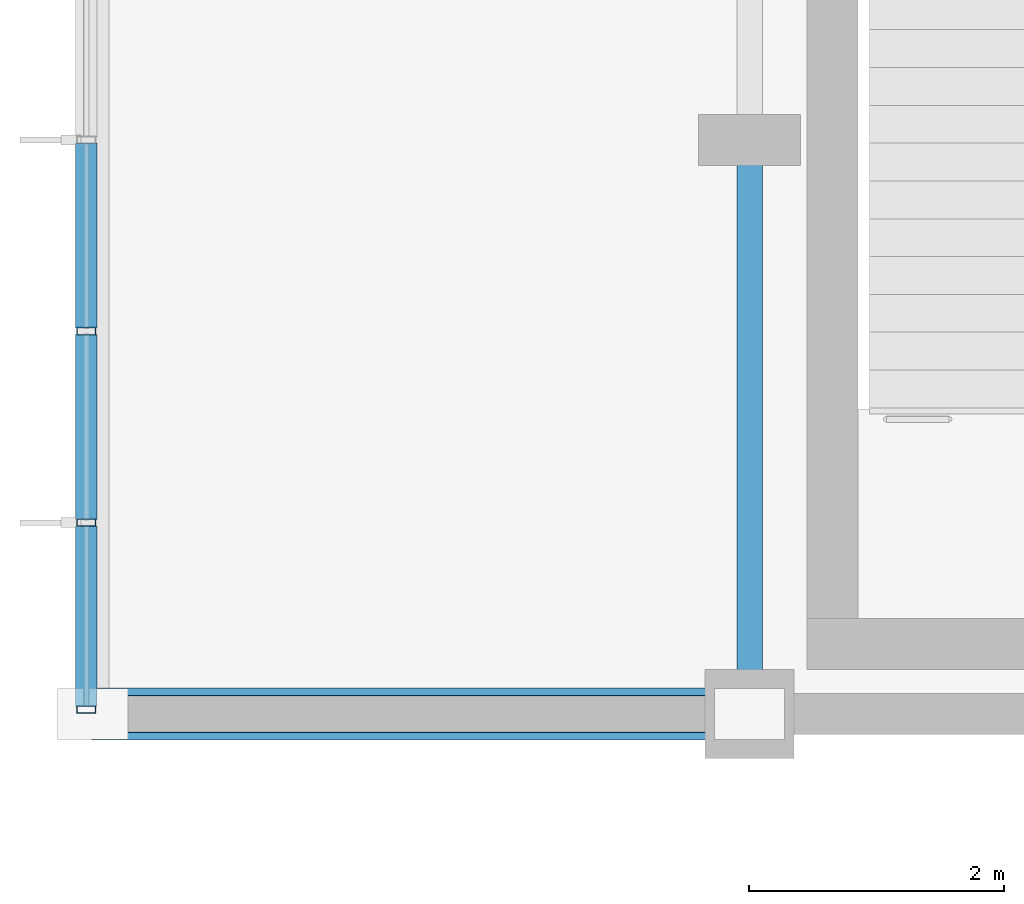
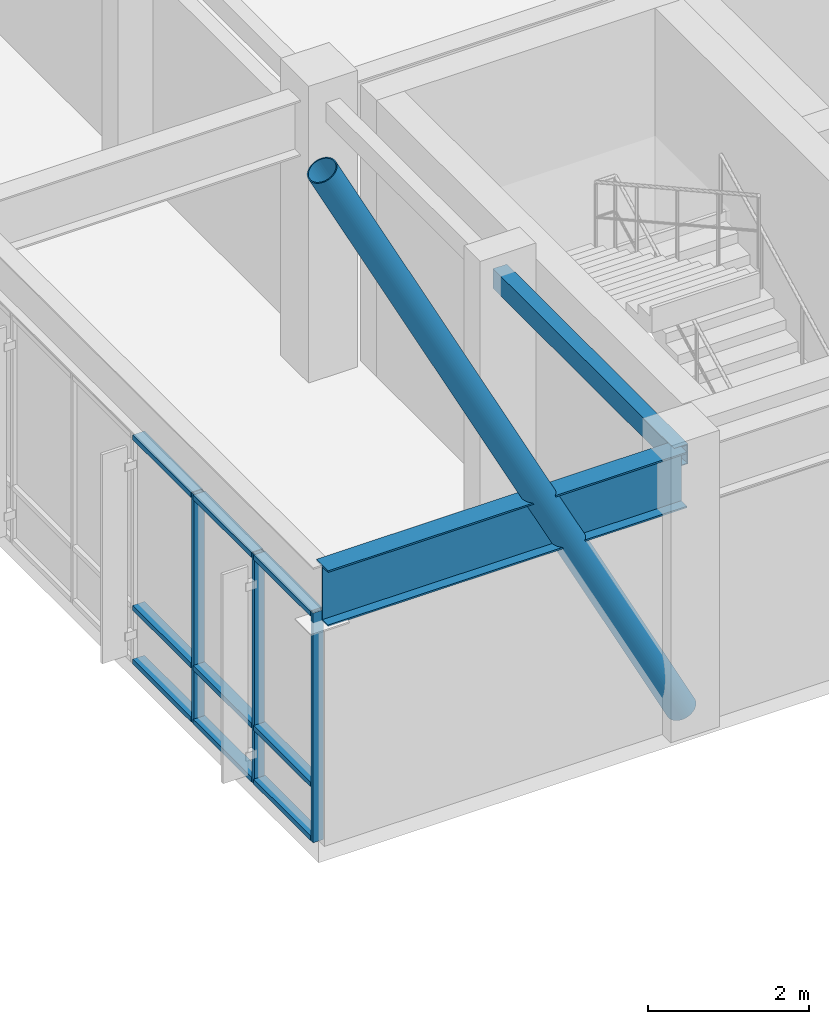
# One storey, part 13 of 55: 13 members, 2 beams, 1 element without a shape of its own.
"""IFC4 building model written with IfcOpenShell, lengths in metres."""

from ifc_helpers import new_model, si_unit, direction, frame, origin, origin_2d, place, context, subcontext, project, spatial, hollow_rectangle, hollow_circle, i_section, extrude, material, layer, layer_set, material_profile, profile_set, type_object, element, aggregate, save


model = new_model("IFC4")

# Units and contexts
model_context = context("Model", 3, precision=1e-05, world=origin(), true_north=direction((0.0, 1.0)))
body_context = subcontext(model_context, "Body", "Model", "MODEL_VIEW")
ifc_project = project(units=[si_unit("LENGTHUNIT", "METRE"), si_unit("AREAUNIT", "SQUARE_METRE"), si_unit("VOLUMEUNIT", "CUBIC_METRE"), si_unit("PLANEANGLEUNIT", "RADIAN"), si_unit("MASSUNIT", "GRAM", prefix="KILO")], contexts=[model_context])

# Site, building, storey
site_placement = place(None, origin())
site = spatial("IfcSite", under=ifc_project, at=site_placement, CompositionType="ELEMENT")
building_placement = place(site_placement, origin())
building = spatial("IfcBuilding", under=site, at=building_placement, Name="Ventoquebrada Cableway Terminal", CompositionType="ELEMENT")
storey_placement = place(building_placement, frame((0.0, 0.0, 14.39990234375)))
storey = spatial("IfcBuildingStorey", under=building, at=storey_placement, Name="L03", CompositionType="ELEMENT", Elevation=14.39990234375)

# Beam
ifc_material_1 = material(Name="Steel ASTM A992 Grade 50", Category="steel")
ifc_material_profile_1 = material_profile(ifc_material_1, i_section(OverallWidth=0.2919921875, OverallDepth=0.845947265625, WebThickness=0.015380859375, FlangeThickness=0.0244140625, at=origin_2d()), Name="W33X141")
ifc_profile_set_1 = profile_set([ifc_material_profile_1], Name="Steel ASTM A992 Grade 50")
beam_type_1 = type_object("IfcBeamType", Name="BM-ST06", PredefinedType="BEAM", material=ifc_profile_set_1)
beam_1_placement = place(storey_placement, frame((3.050048828125, 77.0, 3.7421875), z_axis=(1.0, 0.0, 0.0), x_axis=(0.0, 1.0, 0.0)))
element("IfcBeam", 1, at=beam_1_placement, inside=storey, type_object=beam_type_1, Name="Cantilever belvedere girder CB-010", PredefinedType="BEAM", context=body_context, shape_type="SweptSolid", body=[
    extrude(i_section(OverallWidth=0.2919921875, OverallDepth=0.845947265625, WebThickness=0.015380859375, FlangeThickness=0.0244140625, at=origin_2d()), origin(), (0.0, 0.0, 1.0), 5.14990234375),
])

# Curtain wall, members
ifc_material_2 = material(Name="Anodized thermally-broken aluminium", Category="aluminium")
ifc_layer = layer(ifc_material_2, 0.159912109375)
ifc_layer_set = layer_set([ifc_layer], Name="Anodized thermally-broken aluminium")
curtain_wall_type = type_object("IfcCurtainWallType", Name="CW-T22", PredefinedType="USERDEFINED", material=ifc_layer_set)
curtain_wall_placement = place(storey_placement, origin())
curtain_wall = element("IfcCurtainWall", 2, at=curtain_wall_placement, inside=storey, type_object=curtain_wall_type, Name="Unitised glazed curtain wall CW-056", ObjectType="UNITISED CURTAIN WALL", PredefinedType="USERDEFINED")
ifc_material_profile_2 = material_profile(ifc_material_2, hollow_rectangle(XDim=0.06005859375, YDim=0.14990234375, WallThickness=0.00390625, at=origin_2d()), Name="CW-MUL-60X150")
ifc_profile_set_2 = profile_set([ifc_material_profile_2], Name="Anodized thermally-broken aluminium")
member_type_1 = type_object("IfcMemberType", Name="CWM-03", PredefinedType="MULLION", material=ifc_profile_set_2)
member_1_placement = place(storey_placement, frame((3.0, 80.0, -0.0078125), z_axis=(0.0, 0.0, 1.0), x_axis=(0.0, -1.0, 0.0)))
member_1 = element("IfcMember", 3, at=member_1_placement, type_object=member_type_1, Name="Curtain wall mullion FML-0252", PredefinedType="MULLION", context=body_context, shape_type="SweptSolid", body=[
    extrude(hollow_rectangle(XDim=0.06005859375, YDim=0.14990234375, WallThickness=0.00390625, at=origin_2d()), origin(), (0.0, 0.0, 1.0), 3.48486328125),
])
member_2_placement = place(storey_placement, frame((3.0, 78.5, -0.0078125), z_axis=(0.0, 0.0, 1.0), x_axis=(0.0, -1.0, 0.0)))
member_2 = element("IfcMember", 4, at=member_2_placement, type_object=member_type_1, Name="Curtain wall mullion FML-0253", PredefinedType="MULLION", context=body_context, shape_type="SweptSolid", body=[
    extrude(hollow_rectangle(XDim=0.06005859375, YDim=0.14990234375, WallThickness=0.00390625, at=origin_2d()), origin(), (0.0, 0.0, 1.0), 3.48486328125),
])
member_3_placement = place(storey_placement, frame((3.0, 77.034912109375, -0.0078125), z_axis=(0.0, 0.0, 1.0), x_axis=(0.0, -1.0, 0.0)))
member_3 = element("IfcMember", 5, at=member_3_placement, type_object=member_type_1, Name="Curtain wall mullion FML-0254", PredefinedType="MULLION", context=body_context, shape_type="SweptSolid", body=[
    extrude(hollow_rectangle(XDim=0.06005859375, YDim=0.14990234375, WallThickness=0.00390625, at=origin_2d()), origin(), (0.0, 0.0, 1.0), 3.48486328125),
])
ifc_material_profile_3 = material_profile(ifc_material_2, hollow_rectangle(XDim=0.074951171875, YDim=0.169921875, WallThickness=0.00439453125, at=origin_2d()), Name="CW-TRN-75X170")
ifc_profile_set_3 = profile_set([ifc_material_profile_3], Name="Anodized thermally-broken aluminium")
member_type_2 = type_object("IfcMemberType", Name="CWT-03", PredefinedType="USERDEFINED", material=ifc_profile_set_3)
member_4_placement = place(storey_placement, frame((3.0, 81.47509765625, 0.03515625), z_axis=(0.0, -1.0, 0.0), x_axis=(0.0, 0.0, 1.0)))
member_4 = element("IfcMember", 6, at=member_4_placement, type_object=member_type_2, Name="Curtain wall transom FTR-0747", ObjectType="TRANSOM", PredefinedType="USERDEFINED", context=body_context, shape_type="SweptSolid", body=[
    extrude(hollow_rectangle(XDim=0.074951171875, YDim=0.169921875, WallThickness=0.00439453125, at=origin_2d()), origin(), (0.0, 0.0, 1.0), 1.4501953125),
])
member_5_placement = place(storey_placement, frame((3.0, 81.47509765625, 0.85009765625), z_axis=(0.0, -1.0, 0.0), x_axis=(0.0, 0.0, 1.0)))
member_5 = element("IfcMember", 7, at=member_5_placement, type_object=member_type_2, Name="Curtain wall transom FTR-0748", ObjectType="TRANSOM", PredefinedType="USERDEFINED", context=body_context, shape_type="SweptSolid", body=[
    extrude(hollow_rectangle(XDim=0.074951171875, YDim=0.169921875, WallThickness=0.00439453125, at=origin_2d()), origin(), (0.0, 0.0, 1.0), 1.4501953125),
])
member_6_placement = place(storey_placement, frame((3.0, 81.47509765625, 3.43701171875), z_axis=(0.0, -1.0, 0.0), x_axis=(0.0, 0.0, 1.0)))
member_6 = element("IfcMember", 8, at=member_6_placement, type_object=member_type_2, Name="Curtain wall transom FTR-0749", ObjectType="TRANSOM", PredefinedType="USERDEFINED", context=body_context, shape_type="SweptSolid", body=[
    extrude(hollow_rectangle(XDim=0.074951171875, YDim=0.169921875, WallThickness=0.00439453125, at=origin_2d()), origin(), (0.0, 0.0, 1.0), 1.4501953125),
])
member_7_placement = place(storey_placement, frame((3.0, 79.97509765625, 0.03515625), z_axis=(0.0, -1.0, 0.0), x_axis=(0.0, 0.0, 1.0)))
member_7 = element("IfcMember", 9, at=member_7_placement, type_object=member_type_2, Name="Curtain wall transom FTR-0750", ObjectType="TRANSOM", PredefinedType="USERDEFINED", context=body_context, shape_type="SweptSolid", body=[
    extrude(hollow_rectangle(XDim=0.074951171875, YDim=0.169921875, WallThickness=0.00439453125, at=origin_2d()), origin(), (0.0, 0.0, 1.0), 1.4501953125),
])
member_8_placement = place(storey_placement, frame((3.0, 79.97509765625, 0.85009765625), z_axis=(0.0, -1.0, 0.0), x_axis=(0.0, 0.0, 1.0)))
member_8 = element("IfcMember", 10, at=member_8_placement, type_object=member_type_2, Name="Curtain wall transom FTR-0751", ObjectType="TRANSOM", PredefinedType="USERDEFINED", context=body_context, shape_type="SweptSolid", body=[
    extrude(hollow_rectangle(XDim=0.074951171875, YDim=0.169921875, WallThickness=0.00439453125, at=origin_2d()), origin(), (0.0, 0.0, 1.0), 1.4501953125),
])
member_9_placement = place(storey_placement, frame((3.0, 79.97509765625, 3.43701171875), z_axis=(0.0, -1.0, 0.0), x_axis=(0.0, 0.0, 1.0)))
member_9 = element("IfcMember", 11, at=member_9_placement, type_object=member_type_2, Name="Curtain wall transom FTR-0752", ObjectType="TRANSOM", PredefinedType="USERDEFINED", context=body_context, shape_type="SweptSolid", body=[
    extrude(hollow_rectangle(XDim=0.074951171875, YDim=0.169921875, WallThickness=0.00439453125, at=origin_2d()), origin(), (0.0, 0.0, 1.0), 1.4501953125),
])
member_10_placement = place(storey_placement, frame((3.0, 78.47509765625, 0.03515625), z_axis=(0.0, -1.0, 0.0), x_axis=(0.0, 0.0, 1.0)))
member_10 = element("IfcMember", 12, at=member_10_placement, type_object=member_type_2, Name="Curtain wall transom FTR-0753", ObjectType="TRANSOM", PredefinedType="USERDEFINED", context=body_context, shape_type="SweptSolid", body=[
    extrude(hollow_rectangle(XDim=0.074951171875, YDim=0.169921875, WallThickness=0.00439453125, at=origin_2d()), origin(), (0.0, 0.0, 1.0), 1.4150390625),
])
member_11_placement = place(storey_placement, frame((3.0, 78.47509765625, 0.85009765625), z_axis=(0.0, -1.0, 0.0), x_axis=(0.0, 0.0, 1.0)))
member_11 = element("IfcMember", 13, at=member_11_placement, type_object=member_type_2, Name="Curtain wall transom FTR-0754", ObjectType="TRANSOM", PredefinedType="USERDEFINED", context=body_context, shape_type="SweptSolid", body=[
    extrude(hollow_rectangle(XDim=0.074951171875, YDim=0.169921875, WallThickness=0.00439453125, at=origin_2d()), origin(), (0.0, 0.0, 1.0), 1.4150390625),
])
member_12_placement = place(storey_placement, frame((3.0, 78.47509765625, 3.43701171875), z_axis=(0.0, -1.0, 0.0), x_axis=(0.0, 0.0, 1.0)))
member_12 = element("IfcMember", 14, at=member_12_placement, type_object=member_type_2, Name="Curtain wall transom FTR-0755", ObjectType="TRANSOM", PredefinedType="USERDEFINED", context=body_context, shape_type="SweptSolid", body=[
    extrude(hollow_rectangle(XDim=0.074951171875, YDim=0.169921875, WallThickness=0.00439453125, at=origin_2d()), origin(), (0.0, 0.0, 1.0), 1.4150390625),
])
aggregate(curtain_wall, [member_1, member_2, member_3, member_4, member_5, member_6, member_7, member_8, member_9, member_10, member_11, member_12])

# Beam
ifc_material_3 = material(Name="Steel ASTM A500 Grade C", Category="steel")
ifc_material_profile_4 = material_profile(ifc_material_3, hollow_rectangle(XDim=0.199951171875, YDim=0.300048828125, WallThickness=0.012451171875, at=origin_2d()), Name="RHS300X200X12.5")
ifc_profile_set_4 = profile_set([ifc_material_profile_4], Name="Steel ASTM A500 Grade C")
beam_type_2 = type_object("IfcBeamType", Name="SP-ST02", PredefinedType="SPANDREL", material=ifc_profile_set_4)
beam_2_placement = place(storey_placement, frame((8.199951171875, 77.0, 4.01513671875), z_axis=(0.0, 1.0, 0.0), x_axis=(-1.0, 0.0, 0.0)))
element("IfcBeam", 15, at=beam_2_placement, inside=storey, type_object=beam_type_2, Name="Perimeter spandrel beam FBM-0507", PredefinedType="SPANDREL", context=body_context, shape_type="SweptSolid", body=[
    extrude(hollow_rectangle(XDim=0.199951171875, YDim=0.300048828125, WallThickness=0.012451171875, at=origin_2d()), origin(), (0.0, 0.0, 1.0), 4.5),
])

# Member
ifc_material_profile_5 = material_profile(ifc_material_3, hollow_circle(Radius=0.203125, WallThickness=0.01611328125, at=origin_2d()), Name="CHS406.4X16")
ifc_profile_set_5 = profile_set([ifc_material_profile_5], Name="Steel ASTM A500 Grade C")
member_type_3 = type_object("IfcMemberType", Name="STR-RK01", PredefinedType="STRUT", material=ifc_profile_set_5)
member_13_placement = place(storey_placement, frame((8.199951171875, 77.0, 0.2001953125), z_axis=(-0.459518329886, 0.0, 0.888168286137), x_axis=(0.0, -1.0, 0.0)))
element("IfcMember", 16, at=member_13_placement, inside=storey, type_object=member_type_3, Name="Cantilever steel raker strut RK-08", PredefinedType="STRUT", context=body_context, shape_type="SweptSolid", body=[
    extrude(hollow_circle(Radius=0.203125, WallThickness=0.01611328125, at=origin_2d()), origin(), (0.0, 0.0, 1.0), 11.207275390625),
])

save(model, "model.ifc")
